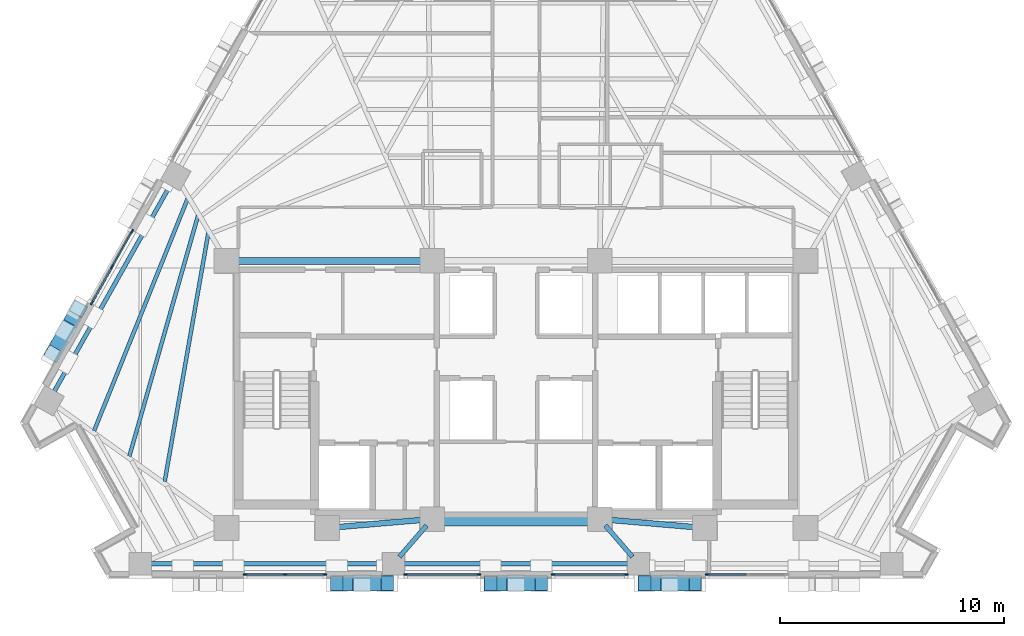
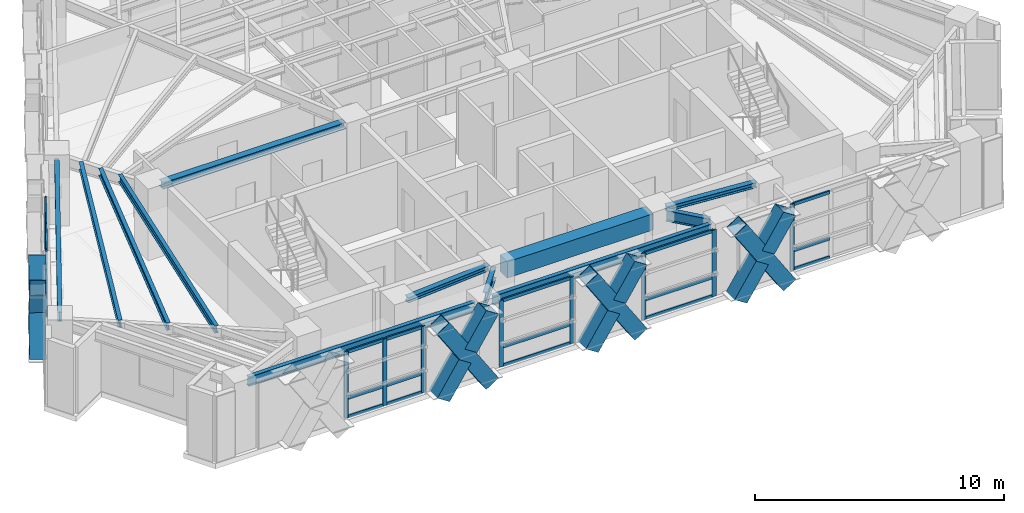
# One storey, part 2 of 14: 44 members, 12 beams, 5 elements without a shape of their own.
"""IFC4 building model written with IfcOpenShell, lengths in metres."""

from ifc_helpers import new_model, si_unit, direction, frame, origin, origin_2d, place, context, subcontext, project, spatial, rectangle, hollow_rectangle, i_section, extrude, material, material_profile, profile_set, type_object, element, aggregate, save


model = new_model("IFC4")

# Units and contexts
model_context = context("Model", 3, precision=1e-05, world=origin(), true_north=direction((0.0, 1.0)))
body_context = subcontext(model_context, "Body", "Model", "MODEL_VIEW")
ifc_project = project(units=[si_unit("LENGTHUNIT", "METRE"), si_unit("AREAUNIT", "SQUARE_METRE"), si_unit("VOLUMEUNIT", "CUBIC_METRE"), si_unit("PLANEANGLEUNIT", "RADIAN"), si_unit("MASSUNIT", "GRAM", prefix="KILO")], contexts=[model_context])

# Site, building, storey
site_placement = place(None, origin())
site = spatial("IfcSite", under=ifc_project, at=site_placement, CompositionType="ELEMENT")
building_placement = place(site_placement, origin())
building = spatial("IfcBuilding", under=site, at=building_placement, Name="Quenlor Broadcast Tower", CompositionType="ELEMENT")
storey_placement = place(building_placement, frame((0.0, 0.0, 165.0)))
storey = spatial("IfcBuildingStorey", under=building, at=storey_placement, Name="L45", CompositionType="ELEMENT", Elevation=165.0)

# Curtain wall, member
ifc_material_1 = material(Name="Architectural Terracotta and Low-E Glazing", Category="masonry")
curtain_wall_type = type_object("IfcCurtainWallType", Name="Unitised Terracotta Curtain Wall System Z3", PredefinedType="NOTDEFINED", material=ifc_material_1)
curtain_wall_1_placement = place(storey_placement, origin())
curtain_wall_1 = element("IfcCurtainWall", 1, at=curtain_wall_1_placement, inside=storey, type_object=curtain_wall_type, Name="L45 Curtain Wall CW3 (L45-SA-G1)", PredefinedType="NOTDEFINED")
ifc_material_2 = material(Name="Aluminium 6063-T6", Category="aluminium")
ifc_material_profile_1 = material_profile(ifc_material_2, rectangle(XDim=0.070068359375, YDim=0.18994140625, at=origin_2d()))
ifc_profile_set_1 = profile_set([ifc_material_profile_1], Name="Aluminium 6063-T6 MULL70x190")
member_type_1 = type_object("IfcMemberType", Name="CW3 Aluminium Mullion MULL_CW3", PredefinedType="MULLION", material=ifc_profile_set_1)
member_1_placement = place(storey_placement, frame((8.550048828125, -18.824951171875, 0.0), z_axis=(0.0, 0.0, 1.0), x_axis=(0.0, -1.0, 0.0)))
member_1 = element("IfcMember", 2, at=member_1_placement, type_object=member_type_1, Name="CW3 mullion 3", PredefinedType="MULLION", context=body_context, shape_type="SweptSolid", body=[
    extrude(rectangle(XDim=0.070068359375, YDim=0.18994140625, at=origin_2d()), origin(), (0.0, 0.0, 1.0), 3.25),
])

# Curtain wall, members
curtain_wall_2_placement = place(storey_placement, origin())
curtain_wall_2 = element("IfcCurtainWall", 3, at=curtain_wall_2_placement, inside=storey, type_object=curtain_wall_type, Name="L45 Curtain Wall CW3 (L45-SC-G1)", PredefinedType="NOTDEFINED")
member_2_placement = place(storey_placement, frame((-8.550048828125, -18.824951171875, 0.0), z_axis=(0.0, 0.0, 1.0), x_axis=(0.0, -1.0, 0.0)))
member_2 = element("IfcMember", 4, at=member_2_placement, type_object=member_type_1, Name="CW3 mullion 1", PredefinedType="MULLION", context=body_context, shape_type="SweptSolid", body=[
    extrude(rectangle(XDim=0.070068359375, YDim=0.18994140625, at=origin_2d()), origin(), (0.0, 0.0, 1.0), 3.25),
])
member_3_placement = place(storey_placement, frame((-10.33203125, -18.824951171875, 0.0), z_axis=(0.0, 0.0, 1.0), x_axis=(0.0, -1.0, 0.0)))
member_3 = element("IfcMember", 5, at=member_3_placement, type_object=member_type_1, Name="CW3 mullion 2", PredefinedType="MULLION", context=body_context, shape_type="SweptSolid", body=[
    extrude(rectangle(XDim=0.070068359375, YDim=0.18994140625, at=origin_2d()), origin(), (0.0, 0.0, 1.0), 3.25),
])
member_4_placement = place(storey_placement, frame((-12.114013671875, -18.824951171875, 0.0), z_axis=(0.0, 0.0, 1.0), x_axis=(0.0, -1.0, 0.0)))
member_4 = element("IfcMember", 6, at=member_4_placement, type_object=member_type_1, Name="CW3 mullion 3", PredefinedType="MULLION", context=body_context, shape_type="SweptSolid", body=[
    extrude(rectangle(XDim=0.070068359375, YDim=0.18994140625, at=origin_2d()), origin(), (0.0, 0.0, 1.0), 3.25),
])

curtain_wall_3_placement = place(storey_placement, origin())
curtain_wall_3 = element("IfcCurtainWall", 7, at=curtain_wall_3_placement, inside=storey, type_object=curtain_wall_type, Name="L45 Curtain Wall CW3 (L45-S-G1)", PredefinedType="NOTDEFINED")
member_5_placement = place(storey_placement, frame((4.926025390625, -18.824951171875, 0.0), z_axis=(0.0, 0.0, 1.0), x_axis=(0.0, -1.0, 0.0)))
member_5 = element("IfcMember", 8, at=member_5_placement, type_object=member_type_1, Name="CW3 mullion 1", PredefinedType="MULLION", context=body_context, shape_type="SweptSolid", body=[
    extrude(rectangle(XDim=0.070068359375, YDim=0.18994140625, at=origin_2d()), origin(), (0.0, 0.0, 1.0), 3.25),
])
member_6_placement = place(storey_placement, frame((1.662109375, -18.824951171875, 0.0), z_axis=(0.0, 0.0, 1.0), x_axis=(0.0, -1.0, 0.0)))
member_6 = element("IfcMember", 9, at=member_6_placement, type_object=member_type_1, Name="CW3 mullion 2", PredefinedType="MULLION", context=body_context, shape_type="SweptSolid", body=[
    extrude(rectangle(XDim=0.070068359375, YDim=0.18994140625, at=origin_2d()), origin(), (0.0, 0.0, 1.0), 3.25),
])

curtain_wall_4_placement = place(storey_placement, origin())
curtain_wall_4 = element("IfcCurtainWall", 10, at=curtain_wall_4_placement, inside=storey, type_object=curtain_wall_type, Name="L45 Curtain Wall CW3 (L45-S-G2)", PredefinedType="NOTDEFINED")
member_7_placement = place(storey_placement, frame((-1.662109375, -18.824951171875, 0.0), z_axis=(0.0, 0.0, 1.0), x_axis=(0.0, -1.0, 0.0)))
member_7 = element("IfcMember", 11, at=member_7_placement, type_object=member_type_1, Name="CW3 mullion 1", PredefinedType="MULLION", context=body_context, shape_type="SweptSolid", body=[
    extrude(rectangle(XDim=0.070068359375, YDim=0.18994140625, at=origin_2d()), origin(), (0.0, 0.0, 1.0), 3.25),
])
member_8_placement = place(storey_placement, frame((-4.926025390625, -18.824951171875, 0.0), z_axis=(0.0, 0.0, 1.0), x_axis=(0.0, -1.0, 0.0)))
member_8 = element("IfcMember", 12, at=member_8_placement, type_object=member_type_1, Name="CW3 mullion 2", PredefinedType="MULLION", context=body_context, shape_type="SweptSolid", body=[
    extrude(rectangle(XDim=0.070068359375, YDim=0.18994140625, at=origin_2d()), origin(), (0.0, 0.0, 1.0), 3.25),
])

curtain_wall_5_placement = place(storey_placement, origin())
curtain_wall_5 = element("IfcCurtainWall", 13, at=curtain_wall_5_placement, inside=storey, type_object=curtain_wall_type, Name="L45 Curtain Wall CW3 (L45-NWA-G1)", PredefinedType="NOTDEFINED")
member_9_placement = place(storey_placement, frame((-18.9677734375, -6.677490234375, 0.0), z_axis=(0.0, 0.0, 1.0), x_axis=(-0.871576967495, 0.490258696743, 0.0)))
member_9 = element("IfcMember", 14, at=member_9_placement, type_object=member_type_1, Name="CW3 mullion 1", PredefinedType="MULLION", context=body_context, shape_type="SweptSolid", body=[
    extrude(rectangle(XDim=0.070068359375, YDim=0.18994140625, at=origin_2d()), origin(), (0.0, 0.0, 1.0), 3.25),
])
member_10_placement = place(storey_placement, frame((-18.069580078125, -5.080810546875, 0.0), z_axis=(0.0, 0.0, 1.0), x_axis=(-0.871576967495, 0.490258696743, 0.0)))
member_10 = element("IfcMember", 15, at=member_10_placement, type_object=member_type_1, Name="CW3 mullion 2", PredefinedType="MULLION", context=body_context, shape_type="SweptSolid", body=[
    extrude(rectangle(XDim=0.070068359375, YDim=0.18994140625, at=origin_2d()), origin(), (0.0, 0.0, 1.0), 3.25),
])
member_11_placement = place(storey_placement, frame((-17.17138671875, -3.48388671875, 0.0), z_axis=(0.0, 0.0, 1.0), x_axis=(-0.871576967495, 0.490258696743, 0.0)))
member_11 = element("IfcMember", 16, at=member_11_placement, type_object=member_type_1, Name="CW3 mullion 3", PredefinedType="MULLION", context=body_context, shape_type="SweptSolid", body=[
    extrude(rectangle(XDim=0.070068359375, YDim=0.18994140625, at=origin_2d()), origin(), (0.0, 0.0, 1.0), 3.25),
])

# Member
ifc_material_3 = material(Name="Aluminium 6063-T6", Category="aluminium")
ifc_material_profile_2 = material_profile(ifc_material_3, rectangle(XDim=0.070068359375, YDim=0.155029296875, at=origin_2d()))
ifc_profile_set_2 = profile_set([ifc_material_profile_2], Name="Aluminium 6063-T6 TRAN70x155")
member_type_2 = type_object("IfcMemberType", Name="CW3 Aluminium Transom TRAN_CW3", PredefinedType="USERDEFINED", material=ifc_profile_set_2)
member_12_placement = place(storey_placement, frame((10.297119140625, -18.824951171875, 0.034912109375), z_axis=(-1.0, 0.0, 0.0), x_axis=(0.0, -1.0, 0.0)))
member_12 = element("IfcMember", 17, at=member_12_placement, type_object=member_type_2, Name="CW3 transom 2.1", ObjectType="TRANSOM", PredefinedType="USERDEFINED", context=body_context, shape_type="SweptSolid", body=[
    extrude(rectangle(XDim=0.070068359375, YDim=0.155029296875, at=origin_2d()), origin(), (0.0, 0.0, 1.0), 1.712158203125),
])

member_13_placement = place(storey_placement, frame((10.297119140625, -18.824951171875, 0.949951171875), z_axis=(-1.0, 0.0, 0.0), x_axis=(0.0, -1.0, 0.0)))
member_13 = element("IfcMember", 18, at=member_13_placement, type_object=member_type_2, Name="CW3 transom 2.2", ObjectType="TRANSOM", PredefinedType="USERDEFINED", context=body_context, shape_type="SweptSolid", body=[
    extrude(rectangle(XDim=0.070068359375, YDim=0.155029296875, at=origin_2d()), origin(), (0.0, 0.0, 1.0), 1.712158203125),
])

member_14_placement = place(storey_placement, frame((10.297119140625, -18.824951171875, 3.215087890625), z_axis=(-1.0, 0.0, 0.0), x_axis=(0.0, -1.0, 0.0)))
member_14 = element("IfcMember", 19, at=member_14_placement, type_object=member_type_2, Name="CW3 transom 2.3", ObjectType="TRANSOM", PredefinedType="USERDEFINED", context=body_context, shape_type="SweptSolid", body=[
    extrude(rectangle(XDim=0.070068359375, YDim=0.155029296875, at=origin_2d()), origin(), (0.0, 0.0, 1.0), 1.712158203125),
])

aggregate(curtain_wall_1, [member_1, member_12, member_13, member_14])

member_15_placement = place(storey_placement, frame((-8.5849609375, -18.824951171875, 0.034912109375), z_axis=(-1.0, 0.0, 0.0), x_axis=(0.0, -1.0, 0.0)))
member_15 = element("IfcMember", 20, at=member_15_placement, type_object=member_type_2, Name="CW3 transom 1.1", ObjectType="TRANSOM", PredefinedType="USERDEFINED", context=body_context, shape_type="SweptSolid", body=[
    extrude(rectangle(XDim=0.070068359375, YDim=0.155029296875, at=origin_2d()), origin(), (0.0, 0.0, 1.0), 1.712158203125),
])

member_16_placement = place(storey_placement, frame((-8.5849609375, -18.824951171875, 0.949951171875), z_axis=(-1.0, 0.0, 0.0), x_axis=(0.0, -1.0, 0.0)))
member_16 = element("IfcMember", 21, at=member_16_placement, type_object=member_type_2, Name="CW3 transom 1.2", ObjectType="TRANSOM", PredefinedType="USERDEFINED", context=body_context, shape_type="SweptSolid", body=[
    extrude(rectangle(XDim=0.070068359375, YDim=0.155029296875, at=origin_2d()), origin(), (0.0, 0.0, 1.0), 1.712158203125),
])

member_17_placement = place(storey_placement, frame((-8.5849609375, -18.824951171875, 3.215087890625), z_axis=(-1.0, 0.0, 0.0), x_axis=(0.0, -1.0, 0.0)))
member_17 = element("IfcMember", 22, at=member_17_placement, type_object=member_type_2, Name="CW3 transom 1.3", ObjectType="TRANSOM", PredefinedType="USERDEFINED", context=body_context, shape_type="SweptSolid", body=[
    extrude(rectangle(XDim=0.070068359375, YDim=0.155029296875, at=origin_2d()), origin(), (0.0, 0.0, 1.0), 1.712158203125),
])

member_18_placement = place(storey_placement, frame((-10.366943359375, -18.824951171875, 0.034912109375), z_axis=(-1.0, 0.0, 0.0), x_axis=(0.0, -1.0, 0.0)))
member_18 = element("IfcMember", 23, at=member_18_placement, type_object=member_type_2, Name="CW3 transom 2.1", ObjectType="TRANSOM", PredefinedType="USERDEFINED", context=body_context, shape_type="SweptSolid", body=[
    extrude(rectangle(XDim=0.070068359375, YDim=0.155029296875, at=origin_2d()), origin(), (0.0, 0.0, 1.0), 1.712158203125),
])

member_19_placement = place(storey_placement, frame((-10.366943359375, -18.824951171875, 0.949951171875), z_axis=(-1.0, 0.0, 0.0), x_axis=(0.0, -1.0, 0.0)))
member_19 = element("IfcMember", 24, at=member_19_placement, type_object=member_type_2, Name="CW3 transom 2.2", ObjectType="TRANSOM", PredefinedType="USERDEFINED", context=body_context, shape_type="SweptSolid", body=[
    extrude(rectangle(XDim=0.070068359375, YDim=0.155029296875, at=origin_2d()), origin(), (0.0, 0.0, 1.0), 1.712158203125),
])

member_20_placement = place(storey_placement, frame((-10.366943359375, -18.824951171875, 3.215087890625), z_axis=(-1.0, 0.0, 0.0), x_axis=(0.0, -1.0, 0.0)))
member_20 = element("IfcMember", 25, at=member_20_placement, type_object=member_type_2, Name="CW3 transom 2.3", ObjectType="TRANSOM", PredefinedType="USERDEFINED", context=body_context, shape_type="SweptSolid", body=[
    extrude(rectangle(XDim=0.070068359375, YDim=0.155029296875, at=origin_2d()), origin(), (0.0, 0.0, 1.0), 1.712158203125),
])

aggregate(curtain_wall_2, [member_2, member_3, member_4, member_15, member_16, member_17, member_18, member_19, member_20])

member_21_placement = place(storey_placement, frame((4.89111328125, -18.824951171875, 0.034912109375), z_axis=(-1.0, 0.0, 0.0), x_axis=(0.0, -1.0, 0.0)))
member_21 = element("IfcMember", 26, at=member_21_placement, type_object=member_type_2, Name="CW3 transom 1.1", ObjectType="TRANSOM", PredefinedType="USERDEFINED", context=body_context, shape_type="SweptSolid", body=[
    extrude(rectangle(XDim=0.070068359375, YDim=0.155029296875, at=origin_2d()), origin(), (0.0, 0.0, 1.0), 3.194091796875),
])

member_22_placement = place(storey_placement, frame((4.89111328125, -18.824951171875, 0.949951171875), z_axis=(-1.0, 0.0, 0.0), x_axis=(0.0, -1.0, 0.0)))
member_22 = element("IfcMember", 27, at=member_22_placement, type_object=member_type_2, Name="CW3 transom 1.2", ObjectType="TRANSOM", PredefinedType="USERDEFINED", context=body_context, shape_type="SweptSolid", body=[
    extrude(rectangle(XDim=0.070068359375, YDim=0.155029296875, at=origin_2d()), origin(), (0.0, 0.0, 1.0), 3.194091796875),
])

member_23_placement = place(storey_placement, frame((4.89111328125, -18.824951171875, 3.215087890625), z_axis=(-1.0, 0.0, 0.0), x_axis=(0.0, -1.0, 0.0)))
member_23 = element("IfcMember", 28, at=member_23_placement, type_object=member_type_2, Name="CW3 transom 1.3", ObjectType="TRANSOM", PredefinedType="USERDEFINED", context=body_context, shape_type="SweptSolid", body=[
    extrude(rectangle(XDim=0.070068359375, YDim=0.155029296875, at=origin_2d()), origin(), (0.0, 0.0, 1.0), 3.194091796875),
])

aggregate(curtain_wall_3, [member_5, member_6, member_21, member_22, member_23])

member_24_placement = place(storey_placement, frame((-1.697021484375, -18.824951171875, 0.034912109375), z_axis=(-1.0, 0.0, 0.0), x_axis=(0.0, -1.0, 0.0)))
member_24 = element("IfcMember", 29, at=member_24_placement, type_object=member_type_2, Name="CW3 transom 1.1", ObjectType="TRANSOM", PredefinedType="USERDEFINED", context=body_context, shape_type="SweptSolid", body=[
    extrude(rectangle(XDim=0.070068359375, YDim=0.155029296875, at=origin_2d()), origin(), (0.0, 0.0, 1.0), 3.194091796875),
])

member_25_placement = place(storey_placement, frame((-1.697021484375, -18.824951171875, 0.949951171875), z_axis=(-1.0, 0.0, 0.0), x_axis=(0.0, -1.0, 0.0)))
member_25 = element("IfcMember", 30, at=member_25_placement, type_object=member_type_2, Name="CW3 transom 1.2", ObjectType="TRANSOM", PredefinedType="USERDEFINED", context=body_context, shape_type="SweptSolid", body=[
    extrude(rectangle(XDim=0.070068359375, YDim=0.155029296875, at=origin_2d()), origin(), (0.0, 0.0, 1.0), 3.194091796875),
])

member_26_placement = place(storey_placement, frame((-1.697021484375, -18.824951171875, 3.215087890625), z_axis=(-1.0, 0.0, 0.0), x_axis=(0.0, -1.0, 0.0)))
member_26 = element("IfcMember", 31, at=member_26_placement, type_object=member_type_2, Name="CW3 transom 1.3", ObjectType="TRANSOM", PredefinedType="USERDEFINED", context=body_context, shape_type="SweptSolid", body=[
    extrude(rectangle(XDim=0.070068359375, YDim=0.155029296875, at=origin_2d()), origin(), (0.0, 0.0, 1.0), 3.194091796875),
])

aggregate(curtain_wall_4, [member_7, member_8, member_24, member_25, member_26])

member_27_placement = place(storey_placement, frame((-18.95068359375, -6.64697265625, 0.034912109375), z_axis=(0.490188879637, 0.871616235668, 0.0), x_axis=(-0.871616235668, 0.490188879637, 0.0)))
member_27 = element("IfcMember", 32, at=member_27_placement, type_object=member_type_2, Name="CW3 transom 1.1", ObjectType="TRANSOM", PredefinedType="USERDEFINED", context=body_context, shape_type="SweptSolid", body=[
    extrude(rectangle(XDim=0.070068359375, YDim=0.155029296875, at=origin_2d()), origin(), (0.0, 0.0, 1.0), 1.76220703125),
])

member_28_placement = place(storey_placement, frame((-18.95068359375, -6.64697265625, 0.949951171875), z_axis=(0.490188879637, 0.871616235668, 0.0), x_axis=(-0.871616235668, 0.490188879637, 0.0)))
member_28 = element("IfcMember", 33, at=member_28_placement, type_object=member_type_2, Name="CW3 transom 1.2", ObjectType="TRANSOM", PredefinedType="USERDEFINED", context=body_context, shape_type="SweptSolid", body=[
    extrude(rectangle(XDim=0.070068359375, YDim=0.155029296875, at=origin_2d()), origin(), (0.0, 0.0, 1.0), 1.76220703125),
])

member_29_placement = place(storey_placement, frame((-18.95068359375, -6.64697265625, 3.215087890625), z_axis=(0.490188879637, 0.871616235668, 0.0), x_axis=(-0.871616235668, 0.490188879637, 0.0)))
member_29 = element("IfcMember", 34, at=member_29_placement, type_object=member_type_2, Name="CW3 transom 1.3", ObjectType="TRANSOM", PredefinedType="USERDEFINED", context=body_context, shape_type="SweptSolid", body=[
    extrude(rectangle(XDim=0.070068359375, YDim=0.155029296875, at=origin_2d()), origin(), (0.0, 0.0, 1.0), 1.76220703125),
])

member_30_placement = place(storey_placement, frame((-18.052490234375, -5.05029296875, 0.034912109375), z_axis=(0.490188879637, 0.871616235668, 0.0), x_axis=(-0.871616235668, 0.490188879637, 0.0)))
member_30 = element("IfcMember", 35, at=member_30_placement, type_object=member_type_2, Name="CW3 transom 2.1", ObjectType="TRANSOM", PredefinedType="USERDEFINED", context=body_context, shape_type="SweptSolid", body=[
    extrude(rectangle(XDim=0.070068359375, YDim=0.155029296875, at=origin_2d()), origin(), (0.0, 0.0, 1.0), 1.76220703125),
])

member_31_placement = place(storey_placement, frame((-18.052490234375, -5.05029296875, 0.949951171875), z_axis=(0.490188879637, 0.871616235668, 0.0), x_axis=(-0.871616235668, 0.490188879637, 0.0)))
member_31 = element("IfcMember", 36, at=member_31_placement, type_object=member_type_2, Name="CW3 transom 2.2", ObjectType="TRANSOM", PredefinedType="USERDEFINED", context=body_context, shape_type="SweptSolid", body=[
    extrude(rectangle(XDim=0.070068359375, YDim=0.155029296875, at=origin_2d()), origin(), (0.0, 0.0, 1.0), 1.76220703125),
])

member_32_placement = place(storey_placement, frame((-18.052490234375, -5.05029296875, 3.215087890625), z_axis=(0.490188879637, 0.871616235668, 0.0), x_axis=(-0.871616235668, 0.490188879637, 0.0)))
member_32 = element("IfcMember", 37, at=member_32_placement, type_object=member_type_2, Name="CW3 transom 2.3", ObjectType="TRANSOM", PredefinedType="USERDEFINED", context=body_context, shape_type="SweptSolid", body=[
    extrude(rectangle(XDim=0.070068359375, YDim=0.155029296875, at=origin_2d()), origin(), (0.0, 0.0, 1.0), 1.76220703125),
])

aggregate(curtain_wall_5, [member_9, member_10, member_11, member_27, member_28, member_29, member_30, member_31, member_32])

# Beams
ifc_material_4 = material(Name="Concrete C50/60", Category="concrete")
ifc_material_profile_3 = material_profile(ifc_material_4, rectangle(XDim=0.60009765625, YDim=0.800048828125, at=origin_2d()))
ifc_profile_set_3 = profile_set([ifc_material_profile_3], Name="Concrete C50/60 RCB600x800")
beam_type_1 = type_object("IfcBeamType", Name="Core Coupling Beam Concrete C50/60 600x800", PredefinedType="BEAM", material=ifc_profile_set_3)
beam_1_placement = place(storey_placement, frame((-3.389892578125, -16.35009765625, 2.85009765625), z_axis=(1.0, 0.0, 0.0), x_axis=(0.0, 1.0, 0.0)))
element("IfcBeam", 38, at=beam_1_placement, inside=storey, type_object=beam_type_1, Name="L45 Core Coupling Beam 6", PredefinedType="BEAM", context=body_context, shape_type="SweptSolid", body=[
    extrude(rectangle(XDim=0.60009765625, YDim=0.800048828125, at=origin_2d()), origin(), (0.0, 0.0, 1.0), 6.77978515625),
])
ifc_material_5 = material(Name="Steel S355", Category="steel")
ifc_material_profile_4 = material_profile(ifc_material_5, i_section(OverallWidth=0.25390625, OverallDepth=0.25390625, WebThickness=0.008544921875, FlangeThickness=0.01416015625, FilletRadius=0.013916015625, at=origin_2d()))
ifc_profile_set_4 = profile_set([ifc_material_profile_4], Name="Steel S355 250UC72.9")
beam_type_2 = type_object("IfcBeamType", Name="Core Opening Lintel Beam Steel S355 250UC72.9", PredefinedType="LINTEL", material=ifc_profile_set_4)
for number, where, z_axis, x_axis, name in (
    (39, (-8.09130859375, -16.719482421875, 3.123046875), (0.996399763903, 0.084779186679, 0.0), (-0.084779186679, 0.996399763903, 0.0), "L45 Core Opening Lintel Beam 4"),
    (40, (4.108642578125, -16.380615234375, 3.123046875), (0.996399763903, -0.084779186679, 0.0), (0.084779186679, 0.996399763903, 0.0), "L45 Core Opening Lintel Beam 5"),
):
    element("IfcBeam", number, at=place(storey_placement, frame(where, z_axis=z_axis, x_axis=x_axis)), inside=storey, type_object=beam_type_2, Name=name, PredefinedType="LINTEL", context=body_context, shape_type="SweptSolid", body=[
        extrude(i_section(OverallWidth=0.25390625, OverallDepth=0.25390625, WebThickness=0.008544921875, FlangeThickness=0.01416015625, FilletRadius=0.013916015625, at=origin_2d()), origin(), (0.0, 0.0, 1.0), 3.9970703125),
    ])
ifc_material_6 = material(Name="Steel S355", Category="steel")
ifc_material_profile_5 = material_profile(ifc_material_6, i_section(OverallWidth=0.306884765625, OverallDepth=0.314697265625, WebThickness=0.011962890625, FlangeThickness=0.018798828125, FilletRadius=0.0166015625, at=origin_2d()))
ifc_profile_set_5 = profile_set([ifc_material_profile_5], Name="Steel S355 310UC118")
beam_type_3 = type_object("IfcBeamType", Name="Core Tie Beam Steel S355 310UC118", PredefinedType="BEAM", material=ifc_profile_set_5)
beam_2_placement = place(storey_placement, frame((-12.590087890625, -4.800048828125, 3.0927734375), z_axis=(1.0, 0.0, 0.0), x_axis=(0.0, 1.0, 0.0)))
element("IfcBeam", 41, at=beam_2_placement, inside=storey, type_object=beam_type_3, Name="L45 Core Tie Beam 1", PredefinedType="BEAM", context=body_context, shape_type="SweptSolid", body=[
    extrude(i_section(OverallWidth=0.306884765625, OverallDepth=0.314697265625, WebThickness=0.011962890625, FlangeThickness=0.018798828125, FilletRadius=0.0166015625, at=origin_2d()), origin(), (0.0, 0.0, 1.0), 8.47998046875),
])

# Members
ifc_material_7 = material(Name="Steel S355", Category="steel")
ifc_material_profile_6 = material_profile(ifc_material_7, hollow_rectangle(XDim=0.679931640625, YDim=0.679931640625, WallThickness=0.02490234375, at=origin_2d()))
ifc_profile_set_6 = profile_set([ifc_material_profile_6], Name="Steel S355 RHS680x680x25")
member_type_3 = type_object("IfcMemberType", Name="Perimeter Diagonal Lattice Brace Z3-Z4 Steel S355 RHS680x25", PredefinedType="BRACE", material=ifc_profile_set_6)
member_33_placement = place(storey_placement, frame((8.022216796875, -19.219970703125, -0.1201171875), z_axis=(-0.543860340502, 0.0, 0.839175744424), x_axis=(0.0, -1.0, 0.0)))
element("IfcMember", 42, at=member_33_placement, inside=storey, type_object=member_type_3, Name="L45 Perimeter Diamond Lattice S-C2XA", PredefinedType="BRACE", context=body_context, shape_type="SweptSolid", body=[
    extrude(hollow_rectangle(XDim=0.679931640625, YDim=0.679931640625, WallThickness=0.02490234375, at=origin_2d()), origin(), (0.0, 0.0, 1.0), 4.170654296875),
])
member_34_placement = place(storey_placement, frame((5.75390625, -19.219970703125, -0.1201171875), z_axis=(0.543786168213, 0.0, 0.839223809994), x_axis=(0.0, 1.0, 0.0)))
element("IfcMember", 43, at=member_34_placement, inside=storey, type_object=member_type_3, Name="L45 Perimeter Diamond Lattice S-C2XB1", PredefinedType="BRACE", context=body_context, shape_type="SweptSolid", body=[
    extrude(hollow_rectangle(XDim=0.679931640625, YDim=0.679931640625, WallThickness=0.02490234375, at=origin_2d()), origin(), (0.0, 0.0, 1.0), 1.83544921875),
])
member_35_placement = place(storey_placement, frame((7.02392578125, -19.219970703125, 1.83984375), z_axis=(0.543940555506, 0.0, 0.839123752539), x_axis=(0.0, 1.0, 0.0)))
element("IfcMember", 44, at=member_35_placement, inside=storey, type_object=member_type_3, Name="L45 Perimeter Diamond Lattice S-C2XB2", PredefinedType="BRACE", context=body_context, shape_type="SweptSolid", body=[
    extrude(hollow_rectangle(XDim=0.679931640625, YDim=0.679931640625, WallThickness=0.02490234375, at=origin_2d()), origin(), (0.0, 0.0, 1.0), 1.835205078125),
])
member_36_placement = place(storey_placement, frame((1.13427734375, -19.219970703125, -0.1201171875), z_axis=(-0.543901560697, 0.0, 0.839149028643), x_axis=(0.0, -1.0, 0.0)))
element("IfcMember", 45, at=member_36_placement, inside=storey, type_object=member_type_3, Name="L45 Perimeter Diamond Lattice S-C3XA", PredefinedType="BRACE", context=body_context, shape_type="SweptSolid", body=[
    extrude(hollow_rectangle(XDim=0.679931640625, YDim=0.679931640625, WallThickness=0.02490234375, at=origin_2d()), origin(), (0.0, 0.0, 1.0), 4.1708984375),
])
member_37_placement = place(storey_placement, frame((-1.13427734375, -19.219970703125, -0.1201171875), z_axis=(0.543879843653, 0.0, 0.83916310433), x_axis=(0.0, 1.0, 0.0)))
element("IfcMember", 46, at=member_37_placement, inside=storey, type_object=member_type_3, Name="L45 Perimeter Diamond Lattice S-C3XB1", PredefinedType="BRACE", context=body_context, shape_type="SweptSolid", body=[
    extrude(hollow_rectangle(XDim=0.679931640625, YDim=0.679931640625, WallThickness=0.02490234375, at=origin_2d()), origin(), (0.0, 0.0, 1.0), 1.83544921875),
])
member_38_placement = place(storey_placement, frame((0.135986328125, -19.219970703125, 1.83984375), z_axis=(0.543940555506, 0.0, 0.839123752539), x_axis=(0.0, 1.0, 0.0)))
element("IfcMember", 47, at=member_38_placement, inside=storey, type_object=member_type_3, Name="L45 Perimeter Diamond Lattice S-C3XB2", PredefinedType="BRACE", context=body_context, shape_type="SweptSolid", body=[
    extrude(hollow_rectangle(XDim=0.679931640625, YDim=0.679931640625, WallThickness=0.02490234375, at=origin_2d()), origin(), (0.0, 0.0, 1.0), 1.835205078125),
])
member_39_placement = place(storey_placement, frame((-5.75390625, -19.219970703125, -0.1201171875), z_axis=(-0.543860340502, 0.0, 0.839175744424), x_axis=(0.0, -1.0, 0.0)))
element("IfcMember", 48, at=member_39_placement, inside=storey, type_object=member_type_3, Name="L45 Perimeter Diamond Lattice S-C4XA", PredefinedType="BRACE", context=body_context, shape_type="SweptSolid", body=[
    extrude(hollow_rectangle(XDim=0.679931640625, YDim=0.679931640625, WallThickness=0.02490234375, at=origin_2d()), origin(), (0.0, 0.0, 1.0), 4.170654296875),
])
member_40_placement = place(storey_placement, frame((-8.022216796875, -19.219970703125, -0.1201171875), z_axis=(0.543879843653, 0.0, 0.83916310433), x_axis=(0.0, 1.0, 0.0)))
element("IfcMember", 49, at=member_40_placement, inside=storey, type_object=member_type_3, Name="L45 Perimeter Diamond Lattice S-C4XB1", PredefinedType="BRACE", context=body_context, shape_type="SweptSolid", body=[
    extrude(hollow_rectangle(XDim=0.679931640625, YDim=0.679931640625, WallThickness=0.02490234375, at=origin_2d()), origin(), (0.0, 0.0, 1.0), 1.83544921875),
])
member_41_placement = place(storey_placement, frame((-6.751953125, -19.219970703125, 1.83984375), z_axis=(0.543846878394, 0.0, 0.839184468911), x_axis=(0.0, 1.0, 0.0)))
element("IfcMember", 50, at=member_41_placement, inside=storey, type_object=member_type_3, Name="L45 Perimeter Diamond Lattice S-C4XB2", PredefinedType="BRACE", context=body_context, shape_type="SweptSolid", body=[
    extrude(hollow_rectangle(XDim=0.679931640625, YDim=0.679931640625, WallThickness=0.02490234375, at=origin_2d()), origin(), (0.0, 0.0, 1.0), 1.835205078125),
])
member_42_placement = place(storey_placement, frame((-20.705810546875, -8.96142578125, -0.1201171875), z_axis=(0.2705491942, 0.481008661973, 0.833926735766), x_axis=(-0.871589611547, 0.490236217596, 0.0)))
element("IfcMember", 51, at=member_42_placement, inside=storey, type_object=member_type_3, Name="L45 Perimeter Diamond Lattice NW-C1XA", PredefinedType="BRACE", context=body_context, shape_type="SweptSolid", body=[
    extrude(hollow_rectangle(XDim=0.679931640625, YDim=0.679931640625, WallThickness=0.02490234375, at=origin_2d()), origin(), (0.0, 0.0, 1.0), 4.197021484375),
])
member_43_placement = place(storey_placement, frame((-19.5703125, -6.942626953125, -0.1201171875), z_axis=(-0.270494026149, -0.481025021111, 0.833935195853), x_axis=(0.871639445711, -0.490147607034, 0.0)))
element("IfcMember", 52, at=member_43_placement, inside=storey, type_object=member_type_3, Name="L45 Perimeter Diamond Lattice NW-C1XB1", PredefinedType="BRACE", context=body_context, shape_type="SweptSolid", body=[
    extrude(hollow_rectangle(XDim=0.679931640625, YDim=0.679931640625, WallThickness=0.02490234375, at=origin_2d()), origin(), (0.0, 0.0, 1.0), 1.848388671875),
])
member_44_placement = place(storey_placement, frame((-20.20556640625, -8.072265625, 1.83837890625), z_axis=(-0.270616433058, -0.481007832697, 0.833905396938), x_axis=(0.871537189362, -0.490329407194, 0.0)))
element("IfcMember", 53, at=member_44_placement, inside=storey, type_object=member_type_3, Name="L45 Perimeter Diamond Lattice NW-C1XB2", PredefinedType="BRACE", context=body_context, shape_type="SweptSolid", body=[
    extrude(hollow_rectangle(XDim=0.679931640625, YDim=0.679931640625, WallThickness=0.02490234375, at=origin_2d()), origin(), (0.0, 0.0, 1.0), 1.8486328125),
])

# Beams
ifc_material_8 = material(Name="Steel S355", Category="steel")
ifc_material_profile_7 = material_profile(ifc_material_8, i_section(OverallWidth=0.19091796875, OverallDepth=0.46044921875, WebThickness=0.010009765625, FlangeThickness=0.01611328125, FilletRadius=0.011474609375, at=origin_2d()))
ifc_profile_set_7 = profile_set([ifc_material_profile_7], Name="Steel S355 460UB82.1")
beam_type_4 = type_object("IfcBeamType", Name="Perimeter Spandrel Beam Z3 Steel S355 460UB82.1", PredefinedType="SPANDREL", material=ifc_profile_set_7)
beam_3_placement = place(storey_placement, frame((-16.3984375, -18.35009765625, 3.019775390625), z_axis=(1.0, 0.0, 0.0), x_axis=(0.0, 1.0, 0.0)))
element("IfcBeam", 54, at=beam_3_placement, inside=storey, type_object=beam_type_4, Name="L45 Spandrel Beam S1-S2", PredefinedType="SPANDREL", context=body_context, shape_type="SweptSolid", body=[
    extrude(i_section(OverallWidth=0.19091796875, OverallDepth=0.46044921875, WebThickness=0.010009765625, FlangeThickness=0.01611328125, FilletRadius=0.011474609375, at=origin_2d()), origin(), (0.0, 0.0, 1.0), 10.50732421875),
])
beam_4_placement = place(storey_placement, frame((-5.071044921875, -18.35009765625, 3.019775390625), z_axis=(1.0, 0.0, 0.0), x_axis=(0.0, 1.0, 0.0)))
element("IfcBeam", 55, at=beam_4_placement, inside=storey, type_object=beam_type_4, Name="L45 Spandrel Beam S2-S3", PredefinedType="SPANDREL", context=body_context, shape_type="SweptSolid", body=[
    extrude(i_section(OverallWidth=0.19091796875, OverallDepth=0.46044921875, WebThickness=0.010009765625, FlangeThickness=0.01611328125, FilletRadius=0.011474609375, at=origin_2d()), origin(), (0.0, 0.0, 1.0), 10.14208984375),
])
beam_5_placement = place(storey_placement, frame((-15.425048828125, -1.347900390625, 3.019775390625), z_axis=(-0.490257999604, -0.871577359633, 0.0), x_axis=(0.871577359633, -0.490257999604, 0.0)))
element("IfcBeam", 56, at=beam_5_placement, inside=storey, type_object=beam_type_4, Name="L45 Spandrel Beam NW3-NW4", PredefinedType="SPANDREL", context=body_context, shape_type="SweptSolid", body=[
    extrude(i_section(OverallWidth=0.19091796875, OverallDepth=0.46044921875, WebThickness=0.010009765625, FlangeThickness=0.01611328125, FilletRadius=0.011474609375, at=origin_2d()), origin(), (0.0, 0.0, 1.0), 10.732666015625),
])
ifc_material_9 = material(Name="Steel S355", Category="steel")
ifc_material_profile_8 = material_profile(ifc_material_9, i_section(OverallWidth=0.172119140625, OverallDepth=0.358642578125, WebThickness=0.008056640625, FlangeThickness=0.012939453125, FilletRadius=0.011474609375, at=origin_2d()))
ifc_profile_set_8 = profile_set([ifc_material_profile_8], Name="Steel S355 360UB56.7")
beam_type_5 = type_object("IfcBeamType", Name="Tower Composite Joist Z2-Z3 Steel S355 360UB56.7", PredefinedType="JOIST", material=ifc_profile_set_8)
beam_6_placement = place(storey_placement, frame((-15.71435546875, -14.679443359375, 3.07080078125), z_axis=(0.172906811417, 0.984938188195, 0.0), x_axis=(-0.984938188195, 0.172906811417, 0.0)))
element("IfcBeam", 57, at=beam_6_placement, inside=storey, type_object=beam_type_5, Name="L45 Secondary Composite Joist 13", PredefinedType="JOIST", context=body_context, shape_type="SweptSolid", body=[
    extrude(i_section(OverallWidth=0.172119140625, OverallDepth=0.358642578125, WebThickness=0.008056640625, FlangeThickness=0.012939453125, FilletRadius=0.011474609375, at=origin_2d()), origin(), (0.0, 0.0, 1.0), 11.30419921875),
])
beam_7_placement = place(storey_placement, frame((-17.293701171875, -13.543212890625, 3.07080078125), z_axis=(0.274418577045, 0.961610339261, 0.0), x_axis=(-0.961610339261, 0.274418577045, 0.0)))
element("IfcBeam", 58, at=beam_7_placement, inside=storey, type_object=beam_type_5, Name="L45 Secondary Composite Joist 14", PredefinedType="JOIST", context=body_context, shape_type="SweptSolid", body=[
    extrude(i_section(OverallWidth=0.172119140625, OverallDepth=0.358642578125, WebThickness=0.008056640625, FlangeThickness=0.012939453125, FilletRadius=0.011474609375, at=origin_2d()), origin(), (0.0, 0.0, 1.0), 11.191162109375),
])
beam_8_placement = place(storey_placement, frame((-18.873291015625, -12.407958984375, 3.07080078125), z_axis=(0.373824118901, 0.927499610851, 0.0), x_axis=(-0.927499610851, 0.373824118901, 0.0)))
element("IfcBeam", 59, at=beam_8_placement, inside=storey, type_object=beam_type_5, Name="L45 Secondary Composite Joist 15", PredefinedType="JOIST", context=body_context, shape_type="SweptSolid", body=[
    extrude(i_section(OverallWidth=0.172119140625, OverallDepth=0.358642578125, WebThickness=0.008056640625, FlangeThickness=0.012939453125, FilletRadius=0.011474609375, at=origin_2d()), origin(), (0.0, 0.0, 1.0), 11.203125),
])
ifc_material_10 = material(Name="Steel S355", Category="steel")
ifc_material_profile_9 = material_profile(ifc_material_10, i_section(OverallWidth=0.208984375, OverallDepth=0.532958984375, WebThickness=0.01025390625, FlangeThickness=0.015625, FilletRadius=0.013916015625, at=origin_2d()))
ifc_profile_set_9 = profile_set([ifc_material_profile_9], Name="Steel S355 530UB92.4")
beam_type_6 = type_object("IfcBeamType", Name="Tower Primary Floor Beam Z3 Steel S355 530UB92.4", PredefinedType="BEAM", material=ifc_profile_set_9)
for number, where, z_axis, x_axis, name in (
    (60, (-5.212646484375, -18.0400390625, 2.9833984375), (0.654339118401, 0.75620124182, 0.0), (-0.75620124182, 0.654339118401, 0.0), "L45 Primary Radial Beam S2"),
    (61, (5.212646484375, -18.0400390625, 2.9833984375), (-0.654339118401, 0.75620124182, 0.0), (-0.75620124182, -0.654339118401, 0.0), "L45 Primary Radial Beam S3"),
):
    element("IfcBeam", number, at=place(storey_placement, frame(where, z_axis=z_axis, x_axis=x_axis)), inside=storey, type_object=beam_type_6, Name=name, PredefinedType="BEAM", context=body_context, shape_type="SweptSolid", body=[
        extrude(i_section(OverallWidth=0.208984375, OverallDepth=0.532958984375, WebThickness=0.01025390625, FlangeThickness=0.015625, FilletRadius=0.013916015625, at=origin_2d()), origin(), (0.0, 0.0, 1.0), 1.855224609375),
    ])

save(model, "model.ifc")
